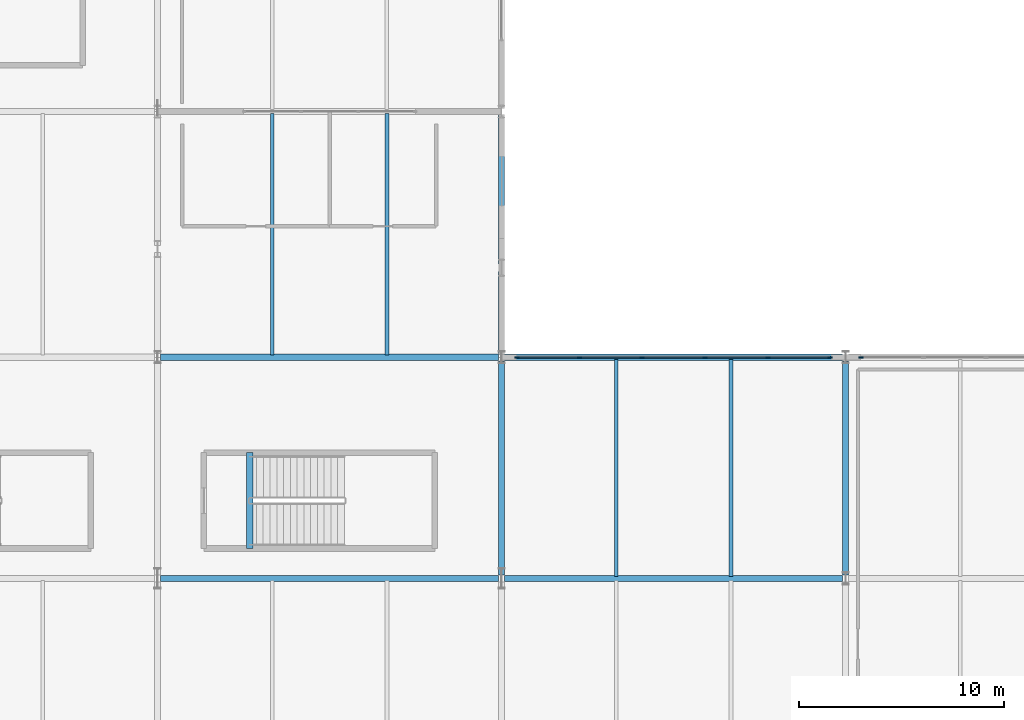
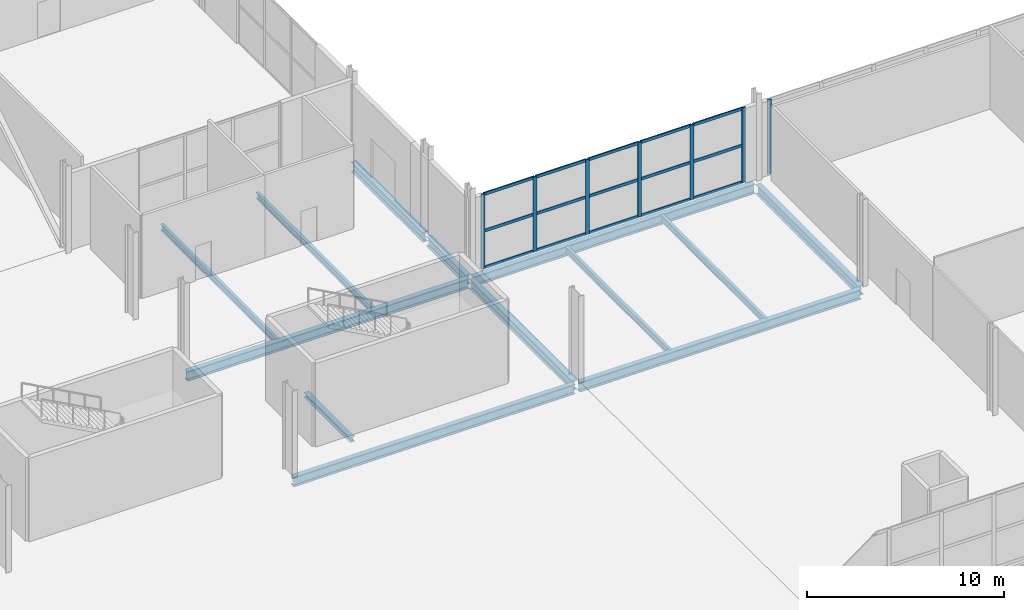
# One storey, part 48 of 87: 22 members, 13 beams, 2 elements without a shape of their own.
"""IFC4 building model written with IfcOpenShell, lengths in metres."""

from ifc_helpers import new_model, si_unit, direction, frame, origin, origin_2d, place, context, subcontext, project, spatial, rectangle, i_section, extrude, material, material_profile, profile_set, type_object, element, aggregate, save


model = new_model("IFC4")

# Units and contexts
model_context = context("Model", 3, precision=1e-05, world=origin(), true_north=direction((0.0, 1.0)))
body_context = subcontext(model_context, "Body", "Model", "MODEL_VIEW")
ifc_project = project(units=[si_unit("LENGTHUNIT", "METRE"), si_unit("AREAUNIT", "SQUARE_METRE"), si_unit("VOLUMEUNIT", "CUBIC_METRE"), si_unit("PLANEANGLEUNIT", "RADIAN"), si_unit("MASSUNIT", "GRAM", prefix="KILO")], contexts=[model_context])

# Site, building, storey
site_placement = place(None, origin())
site = spatial("IfcSite", under=ifc_project, at=site_placement, CompositionType="ELEMENT")
building_placement = place(site_placement, origin())
building = spatial("IfcBuilding", under=site, at=building_placement, Name="Kimbaza Rail Terminus", CompositionType="ELEMENT")
storey_placement = place(building_placement, origin())
storey = spatial("IfcBuildingStorey", under=building, at=storey_placement, Name="L00", CompositionType="ELEMENT", Elevation=0.0)

# Curtain wall, members
ifc_material_1 = material(Name="Anodised aluminium framing and solar low-E glazing", Category="aluminium")
curtain_wall_type = type_object("IfcCurtainWallType", Name="ARC-CW-TH1", PredefinedType="USERDEFINED", material=ifc_material_1)
curtain_wall_1_placement = place(storey_placement, origin())
curtain_wall_1 = element("IfcCurtainWall", 1, at=curtain_wall_1_placement, inside=storey, type_object=curtain_wall_type, Name="Ticket Hall Wing E Curtain Wall L00.1", ObjectType="UNITISED CURTAIN WALL", PredefinedType="USERDEFINED")
ifc_material_2 = material(Name="Anodised architectural aluminium", Category="aluminium")
ifc_material_profile_1 = material_profile(ifc_material_2, rectangle(XDim=0.074951171875, YDim=0.219970703125, at=origin_2d()), Name="MULLION 75x220")
ifc_profile_set_1 = profile_set([ifc_material_profile_1], Name="Anodised architectural aluminium")
member_type_1 = type_object("IfcMemberType", Name="ARC-CWM-01", PredefinedType="MULLION", material=ifc_profile_set_1)
member_1_placement = place(storey_placement, frame((156.757568359375, 91.0, 0.0), z_axis=(0.0, 0.0, 1.0), x_axis=(0.0, 1.0, 0.0)))
member_1 = element("IfcMember", 2, at=member_1_placement, type_object=member_type_1, Name="CW-01 mullion 1", PredefinedType="MULLION", context=body_context, shape_type="SweptSolid", body=[
    extrude(rectangle(XDim=0.074951171875, YDim=0.219970703125, at=origin_2d()), origin(), (0.0, 0.0, 1.0), 4.625),
])
member_2_placement = place(storey_placement, frame((159.7919921875, 91.0, 0.0), z_axis=(0.0, 0.0, 1.0), x_axis=(0.0, 1.0, 0.0)))
member_2 = element("IfcMember", 3, at=member_2_placement, type_object=member_type_1, Name="CW-01 mullion 2", PredefinedType="MULLION", context=body_context, shape_type="SweptSolid", body=[
    extrude(rectangle(XDim=0.074951171875, YDim=0.219970703125, at=origin_2d()), origin(), (0.0, 0.0, 1.0), 4.625),
])
member_3_placement = place(storey_placement, frame((162.864013671875, 91.0, 0.0), z_axis=(0.0, 0.0, 1.0), x_axis=(0.0, 1.0, 0.0)))
member_3 = element("IfcMember", 4, at=member_3_placement, type_object=member_type_1, Name="CW-01 mullion 3", PredefinedType="MULLION", context=body_context, shape_type="SweptSolid", body=[
    extrude(rectangle(XDim=0.074951171875, YDim=0.219970703125, at=origin_2d()), origin(), (0.0, 0.0, 1.0), 4.625),
])
member_4_placement = place(storey_placement, frame((165.93603515625, 91.0, 0.0), z_axis=(0.0, 0.0, 1.0), x_axis=(0.0, 1.0, 0.0)))
member_4 = element("IfcMember", 5, at=member_4_placement, type_object=member_type_1, Name="CW-01 mullion 4", PredefinedType="MULLION", context=body_context, shape_type="SweptSolid", body=[
    extrude(rectangle(XDim=0.074951171875, YDim=0.219970703125, at=origin_2d()), origin(), (0.0, 0.0, 1.0), 4.625),
])
member_5_placement = place(storey_placement, frame((169.008056640625, 91.0, 0.0), z_axis=(0.0, 0.0, 1.0), x_axis=(0.0, 1.0, 0.0)))
member_5 = element("IfcMember", 6, at=member_5_placement, type_object=member_type_1, Name="CW-01 mullion 5", PredefinedType="MULLION", context=body_context, shape_type="SweptSolid", body=[
    extrude(rectangle(XDim=0.074951171875, YDim=0.219970703125, at=origin_2d()), origin(), (0.0, 0.0, 1.0), 4.625),
])
member_6_placement = place(storey_placement, frame((172.04248046875, 91.0, 0.0), z_axis=(0.0, 0.0, 1.0), x_axis=(0.0, 1.0, 0.0)))
member_6 = element("IfcMember", 7, at=member_6_placement, type_object=member_type_1, Name="CW-01 mullion 6", PredefinedType="MULLION", context=body_context, shape_type="SweptSolid", body=[
    extrude(rectangle(XDim=0.074951171875, YDim=0.219970703125, at=origin_2d()), origin(), (0.0, 0.0, 1.0), 4.625),
])

# Curtain wall, member
curtain_wall_2_placement = place(storey_placement, origin())
curtain_wall_2 = element("IfcCurtainWall", 8, at=curtain_wall_2_placement, inside=storey, type_object=curtain_wall_type, Name="Ticket Hall Wing E Curtain Wall L00.2", ObjectType="UNITISED CURTAIN WALL", PredefinedType="USERDEFINED")
member_7_placement = place(storey_placement, frame((173.5576171875, 91.0, 0.0), z_axis=(0.0, 0.0, 1.0), x_axis=(0.0, 1.0, 0.0)))
member_7 = element("IfcMember", 9, at=member_7_placement, type_object=member_type_1, Name="CW-01 mullion 1", PredefinedType="MULLION", context=body_context, shape_type="SweptSolid", body=[
    extrude(rectangle(XDim=0.074951171875, YDim=0.219970703125, at=origin_2d()), origin(), (0.0, 0.0, 1.0), 4.625),
])
aggregate(curtain_wall_2, [member_7])

# Member
ifc_material_3 = material(Name="Anodised architectural aluminium", Category="aluminium")
ifc_material_profile_2 = material_profile(ifc_material_3, rectangle(XDim=0.074951171875, YDim=0.179931640625, at=origin_2d()), Name="TRANSOM 75x180")
ifc_profile_set_2 = profile_set([ifc_material_profile_2], Name="Anodised architectural aluminium")
member_type_2 = type_object("IfcMemberType", Name="ARC-CWT-01", PredefinedType="USERDEFINED", material=ifc_profile_set_2)
member_8_placement = place(storey_placement, frame((156.794921875, 91.0, 0.03759765625), z_axis=(1.0, 0.0, 0.0), x_axis=(0.0, 1.0, 0.0)))
member_8 = element("IfcMember", 10, at=member_8_placement, type_object=member_type_2, Name="CW-01 transom 1.1", ObjectType="TRANSOM", PredefinedType="USERDEFINED", context=body_context, shape_type="SweptSolid", body=[
    extrude(rectangle(XDim=0.074951171875, YDim=0.179931640625, at=origin_2d()), origin(), (0.0, 0.0, 1.0), 2.95947265625),
])

member_9_placement = place(storey_placement, frame((156.794921875, 91.0, 2.3125), z_axis=(1.0, 0.0, 0.0), x_axis=(0.0, 1.0, 0.0)))
member_9 = element("IfcMember", 11, at=member_9_placement, type_object=member_type_2, Name="CW-01 transom 1.2", ObjectType="TRANSOM", PredefinedType="USERDEFINED", context=body_context, shape_type="SweptSolid", body=[
    extrude(rectangle(XDim=0.074951171875, YDim=0.179931640625, at=origin_2d()), origin(), (0.0, 0.0, 1.0), 2.95947265625),
])

member_10_placement = place(storey_placement, frame((156.794921875, 91.0, 4.58740234375), z_axis=(1.0, 0.0, 0.0), x_axis=(0.0, 1.0, 0.0)))
member_10 = element("IfcMember", 12, at=member_10_placement, type_object=member_type_2, Name="CW-01 transom 1.3", ObjectType="TRANSOM", PredefinedType="USERDEFINED", context=body_context, shape_type="SweptSolid", body=[
    extrude(rectangle(XDim=0.074951171875, YDim=0.179931640625, at=origin_2d()), origin(), (0.0, 0.0, 1.0), 2.95947265625),
])

member_11_placement = place(storey_placement, frame((159.82958984375, 91.0, 0.03759765625), z_axis=(1.0, 0.0, 0.0), x_axis=(0.0, 1.0, 0.0)))
member_11 = element("IfcMember", 13, at=member_11_placement, type_object=member_type_2, Name="CW-01 transom 2.1", ObjectType="TRANSOM", PredefinedType="USERDEFINED", context=body_context, shape_type="SweptSolid", body=[
    extrude(rectangle(XDim=0.074951171875, YDim=0.179931640625, at=origin_2d()), origin(), (0.0, 0.0, 1.0), 2.996826171875),
])

member_12_placement = place(storey_placement, frame((159.82958984375, 91.0, 2.3125), z_axis=(1.0, 0.0, 0.0), x_axis=(0.0, 1.0, 0.0)))
member_12 = element("IfcMember", 14, at=member_12_placement, type_object=member_type_2, Name="CW-01 transom 2.2", ObjectType="TRANSOM", PredefinedType="USERDEFINED", context=body_context, shape_type="SweptSolid", body=[
    extrude(rectangle(XDim=0.074951171875, YDim=0.179931640625, at=origin_2d()), origin(), (0.0, 0.0, 1.0), 2.996826171875),
])

member_13_placement = place(storey_placement, frame((159.82958984375, 91.0, 4.58740234375), z_axis=(1.0, 0.0, 0.0), x_axis=(0.0, 1.0, 0.0)))
member_13 = element("IfcMember", 15, at=member_13_placement, type_object=member_type_2, Name="CW-01 transom 2.3", ObjectType="TRANSOM", PredefinedType="USERDEFINED", context=body_context, shape_type="SweptSolid", body=[
    extrude(rectangle(XDim=0.074951171875, YDim=0.179931640625, at=origin_2d()), origin(), (0.0, 0.0, 1.0), 2.996826171875),
])

member_14_placement = place(storey_placement, frame((162.901611328125, 91.0, 0.03759765625), z_axis=(1.0, 0.0, 0.0), x_axis=(0.0, 1.0, 0.0)))
member_14 = element("IfcMember", 16, at=member_14_placement, type_object=member_type_2, Name="CW-01 transom 3.1", ObjectType="TRANSOM", PredefinedType="USERDEFINED", context=body_context, shape_type="SweptSolid", body=[
    extrude(rectangle(XDim=0.074951171875, YDim=0.179931640625, at=origin_2d()), origin(), (0.0, 0.0, 1.0), 2.996826171875),
])

member_15_placement = place(storey_placement, frame((162.901611328125, 91.0, 2.3125), z_axis=(1.0, 0.0, 0.0), x_axis=(0.0, 1.0, 0.0)))
member_15 = element("IfcMember", 17, at=member_15_placement, type_object=member_type_2, Name="CW-01 transom 3.2", ObjectType="TRANSOM", PredefinedType="USERDEFINED", context=body_context, shape_type="SweptSolid", body=[
    extrude(rectangle(XDim=0.074951171875, YDim=0.179931640625, at=origin_2d()), origin(), (0.0, 0.0, 1.0), 2.996826171875),
])

member_16_placement = place(storey_placement, frame((162.901611328125, 91.0, 4.58740234375), z_axis=(1.0, 0.0, 0.0), x_axis=(0.0, 1.0, 0.0)))
member_16 = element("IfcMember", 18, at=member_16_placement, type_object=member_type_2, Name="CW-01 transom 3.3", ObjectType="TRANSOM", PredefinedType="USERDEFINED", context=body_context, shape_type="SweptSolid", body=[
    extrude(rectangle(XDim=0.074951171875, YDim=0.179931640625, at=origin_2d()), origin(), (0.0, 0.0, 1.0), 2.996826171875),
])

member_17_placement = place(storey_placement, frame((165.973388671875, 91.0, 0.03759765625), z_axis=(1.0, 0.0, 0.0), x_axis=(0.0, 1.0, 0.0)))
member_17 = element("IfcMember", 19, at=member_17_placement, type_object=member_type_2, Name="CW-01 transom 4.1", ObjectType="TRANSOM", PredefinedType="USERDEFINED", context=body_context, shape_type="SweptSolid", body=[
    extrude(rectangle(XDim=0.074951171875, YDim=0.179931640625, at=origin_2d()), origin(), (0.0, 0.0, 1.0), 2.9970703125),
])

member_18_placement = place(storey_placement, frame((165.973388671875, 91.0, 2.3125), z_axis=(1.0, 0.0, 0.0), x_axis=(0.0, 1.0, 0.0)))
member_18 = element("IfcMember", 20, at=member_18_placement, type_object=member_type_2, Name="CW-01 transom 4.2", ObjectType="TRANSOM", PredefinedType="USERDEFINED", context=body_context, shape_type="SweptSolid", body=[
    extrude(rectangle(XDim=0.074951171875, YDim=0.179931640625, at=origin_2d()), origin(), (0.0, 0.0, 1.0), 2.9970703125),
])

member_19_placement = place(storey_placement, frame((165.973388671875, 91.0, 4.58740234375), z_axis=(1.0, 0.0, 0.0), x_axis=(0.0, 1.0, 0.0)))
member_19 = element("IfcMember", 21, at=member_19_placement, type_object=member_type_2, Name="CW-01 transom 4.3", ObjectType="TRANSOM", PredefinedType="USERDEFINED", context=body_context, shape_type="SweptSolid", body=[
    extrude(rectangle(XDim=0.074951171875, YDim=0.179931640625, at=origin_2d()), origin(), (0.0, 0.0, 1.0), 2.9970703125),
])

member_20_placement = place(storey_placement, frame((169.04541015625, 91.0, 0.03759765625), z_axis=(1.0, 0.0, 0.0), x_axis=(0.0, 1.0, 0.0)))
member_20 = element("IfcMember", 22, at=member_20_placement, type_object=member_type_2, Name="CW-01 transom 5.1", ObjectType="TRANSOM", PredefinedType="USERDEFINED", context=body_context, shape_type="SweptSolid", body=[
    extrude(rectangle(XDim=0.074951171875, YDim=0.179931640625, at=origin_2d()), origin(), (0.0, 0.0, 1.0), 2.95947265625),
])

member_21_placement = place(storey_placement, frame((169.04541015625, 91.0, 2.3125), z_axis=(1.0, 0.0, 0.0), x_axis=(0.0, 1.0, 0.0)))
member_21 = element("IfcMember", 23, at=member_21_placement, type_object=member_type_2, Name="CW-01 transom 5.2", ObjectType="TRANSOM", PredefinedType="USERDEFINED", context=body_context, shape_type="SweptSolid", body=[
    extrude(rectangle(XDim=0.074951171875, YDim=0.179931640625, at=origin_2d()), origin(), (0.0, 0.0, 1.0), 2.95947265625),
])

member_22_placement = place(storey_placement, frame((169.04541015625, 91.0, 4.58740234375), z_axis=(1.0, 0.0, 0.0), x_axis=(0.0, 1.0, 0.0)))
member_22 = element("IfcMember", 24, at=member_22_placement, type_object=member_type_2, Name="CW-01 transom 5.3", ObjectType="TRANSOM", PredefinedType="USERDEFINED", context=body_context, shape_type="SweptSolid", body=[
    extrude(rectangle(XDim=0.074951171875, YDim=0.179931640625, at=origin_2d()), origin(), (0.0, 0.0, 1.0), 2.95947265625),
])

aggregate(curtain_wall_1, [member_1, member_2, member_3, member_4, member_5, member_6, member_8, member_9, member_10, member_11, member_12, member_13, member_14, member_15, member_16, member_17, member_18, member_19, member_20, member_21, member_22])

# Beams
ifc_material_4 = material(Name="Steel S355", Category="steel")
ifc_material_profile_3 = material_profile(ifc_material_4, i_section(OverallWidth=0.300048828125, OverallDepth=0.2900390625, WebThickness=0.008544921875, FlangeThickness=0.013916015625, FilletRadius=0.027099609375, at=origin_2d()), Name="HEA 300")
ifc_profile_set_3 = profile_set([ifc_material_profile_3], Name="Steel S355")
beam_type_1 = type_object("IfcBeamType", Name="STR-BM-HEA300", PredefinedType="SPANDREL", material=ifc_profile_set_3)
beam_1_placement = place(storey_placement, frame((143.699951171875, 81.659912109375, -0.39501953125), z_axis=(0.0, 1.0, 0.0), x_axis=(-1.0, 0.0, 0.0)))
element("IfcBeam", 25, at=beam_1_placement, inside=storey, type_object=beam_type_1, Name="Platform East Concourse Stair Landing Trimmer Beam L00", PredefinedType="SPANDREL", context=body_context, shape_type="SweptSolid", body=[
    extrude(i_section(OverallWidth=0.300048828125, OverallDepth=0.2900390625, WebThickness=0.008544921875, FlangeThickness=0.013916015625, FilletRadius=0.027099609375, at=origin_2d()), origin(), (0.0, 0.0, 1.0), 4.68017578125),
])
ifc_material_5 = material(Name="Steel S355", Category="steel")
ifc_material_profile_4 = material_profile(ifc_material_5, i_section(OverallWidth=0.300048828125, OverallDepth=0.60009765625, WebThickness=0.015380859375, FlangeThickness=0.030029296875, FilletRadius=0.027099609375, at=origin_2d()), Name="HEB 600")
ifc_profile_set_4 = profile_set([ifc_material_profile_4], Name="Steel S355")
beam_type_2 = type_object("IfcBeamType", Name="STR-BM-HEB600", PredefinedType="BEAM", material=ifc_profile_set_4)
for number, where, z_axis, x_axis, name in (
    (26, (156.0, 80.375, -0.550048828125), (0.0, 1.0, 0.0), (-1.0, 0.0, 0.0), "Beam BM-V2Y-L00-6-80"),
    (27, (172.800048828125, 80.375, -0.550048828125), (0.0, 1.0, 0.0), (-1.0, 0.0, 0.0), "Beam BM-V2Y-L00-7-80"),
):
    element("IfcBeam", number, at=place(storey_placement, frame(where, z_axis=z_axis, x_axis=x_axis)), inside=storey, type_object=beam_type_2, Name=name, PredefinedType="BEAM", context=body_context, shape_type="SweptSolid", body=[
        extrude(i_section(OverallWidth=0.300048828125, OverallDepth=0.60009765625, WebThickness=0.015380859375, FlangeThickness=0.030029296875, FilletRadius=0.027099609375, at=origin_2d()), origin(), (0.0, 0.0, 1.0), 10.449951171875),
    ])
for number, where, z_axis, x_axis, name in (
    (28, (139.345947265625, 80.199951171875, -0.550048828125), (1.0, 0.0, 0.0), (0.0, 1.0, 0.0), "Beam BM-V2X-L00-5-6"),
    (29, (156.14599609375, 80.199951171875, -0.550048828125), (1.0, 0.0, 0.0), (0.0, 1.0, 0.0), "Beam BM-V2X-L00-5-7"),
    (30, (139.345947265625, 91.0, -0.550048828125), (1.0, 0.0, 0.0), (0.0, 1.0, 0.0), "Beam BM-V2X-L00-6-6"),
    (31, (156.14599609375, 91.0, -0.550048828125), (1.0, 0.0, 0.0), (0.0, 1.0, 0.0), "Beam BM-V2X-L00-6-7"),
):
    element("IfcBeam", number, at=place(storey_placement, frame(where, z_axis=z_axis, x_axis=x_axis)), inside=storey, type_object=beam_type_2, Name=name, PredefinedType="BEAM", context=body_context, shape_type="SweptSolid", body=[
        extrude(i_section(OverallWidth=0.300048828125, OverallDepth=0.60009765625, WebThickness=0.015380859375, FlangeThickness=0.030029296875, FilletRadius=0.027099609375, at=origin_2d()), origin(), (0.0, 0.0, 1.0), 16.508056640625),
    ])
beam_2_placement = place(storey_placement, frame((156.0, 91.175048828125, -0.550048828125), z_axis=(0.0, 1.0, 0.0), x_axis=(-1.0, 0.0, 0.0)))
element("IfcBeam", 32, at=beam_2_placement, inside=storey, type_object=beam_type_2, Name="Beam BM-VSPN-L00-8", PredefinedType="BEAM", context=body_context, shape_type="SweptSolid", body=[
    extrude(i_section(OverallWidth=0.300048828125, OverallDepth=0.60009765625, WebThickness=0.015380859375, FlangeThickness=0.030029296875, FilletRadius=0.027099609375, at=origin_2d()), origin(), (0.0, 0.0, 1.0), 4.025634765625),
])
beam_3_placement = place(storey_placement, frame((156.0, 95.55078125, -0.550048828125), z_axis=(0.0, 1.0, 0.0), x_axis=(-1.0, 0.0, 0.0)))
element("IfcBeam", 33, at=beam_3_placement, inside=storey, type_object=beam_type_2, Name="Beam BM-VSPN2-L00-8", PredefinedType="BEAM", context=body_context, shape_type="SweptSolid", body=[
    extrude(i_section(OverallWidth=0.300048828125, OverallDepth=0.60009765625, WebThickness=0.015380859375, FlangeThickness=0.030029296875, FilletRadius=0.027099609375, at=origin_2d()), origin(), (0.0, 0.0, 1.0), 7.274169921875),
])
ifc_material_6 = material(Name="Steel S355", Category="steel")
ifc_material_profile_5 = material_profile(ifc_material_6, i_section(OverallWidth=0.179931640625, OverallDepth=0.39990234375, WebThickness=0.008544921875, FlangeThickness=0.013427734375, FilletRadius=0.02099609375, at=origin_2d()), Name="IPE 400")
ifc_profile_set_5 = profile_set([ifc_material_profile_5], Name="Steel S355")
beam_type_3 = type_object("IfcBeamType", Name="STR-BM-IPE400", PredefinedType="JOIST", material=ifc_profile_set_5)
for number, where, z_axis, x_axis, name in (
    (34, (144.800048828125, 91.10009765625, -0.449951171875), (0.0, 1.0, 0.0), (-1.0, 0.0, 0.0), "Beam JST-V2-L00-6-1-91"),
    (35, (150.39990234375, 91.10009765625, -0.449951171875), (0.0, 1.0, 0.0), (-1.0, 0.0, 0.0), "Beam JST-V2-L00-6-2-91"),
):
    element("IfcBeam", number, at=place(storey_placement, frame(where, z_axis=z_axis, x_axis=x_axis)), inside=storey, type_object=beam_type_3, Name=name, PredefinedType="JOIST", context=body_context, shape_type="SweptSolid", body=[
        extrude(i_section(OverallWidth=0.179931640625, OverallDepth=0.39990234375, WebThickness=0.008544921875, FlangeThickness=0.013427734375, FilletRadius=0.02099609375, at=origin_2d()), origin(), (0.0, 0.0, 1.0), 11.7998046875),
    ])
for number, where, z_axis, x_axis, name in (
    (36, (161.60009765625, 80.300048828125, -0.449951171875), (0.0, 1.0, 0.0), (-1.0, 0.0, 0.0), "Beam JST-V2-L00-7-1-80"),
    (37, (167.199951171875, 80.300048828125, -0.449951171875), (0.0, 1.0, 0.0), (-1.0, 0.0, 0.0), "Beam JST-V2-L00-7-2-80"),
):
    element("IfcBeam", number, at=place(storey_placement, frame(where, z_axis=z_axis, x_axis=x_axis)), inside=storey, type_object=beam_type_3, Name=name, PredefinedType="JOIST", context=body_context, shape_type="SweptSolid", body=[
        extrude(i_section(OverallWidth=0.179931640625, OverallDepth=0.39990234375, WebThickness=0.008544921875, FlangeThickness=0.013427734375, FilletRadius=0.02099609375, at=origin_2d()), origin(), (0.0, 0.0, 1.0), 10.599853515625),
    ])

save(model, "model.ifc")
